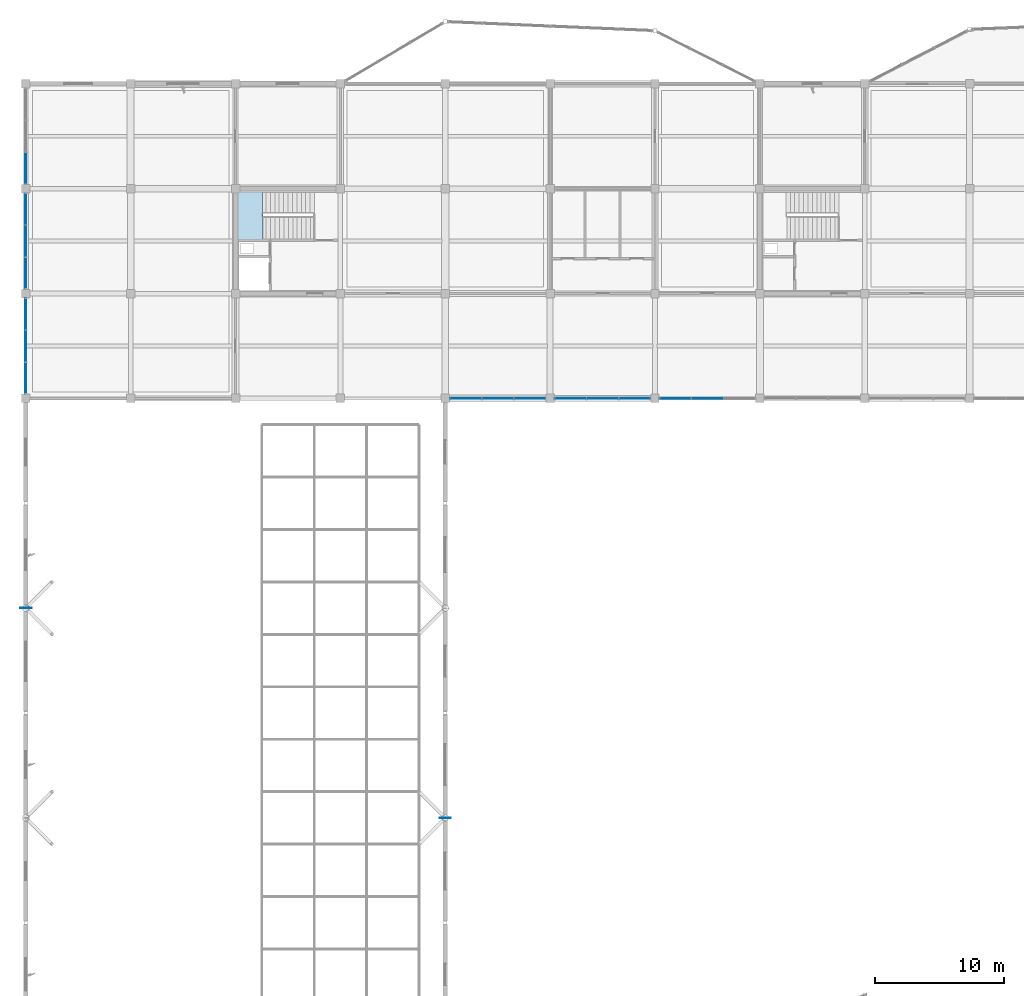
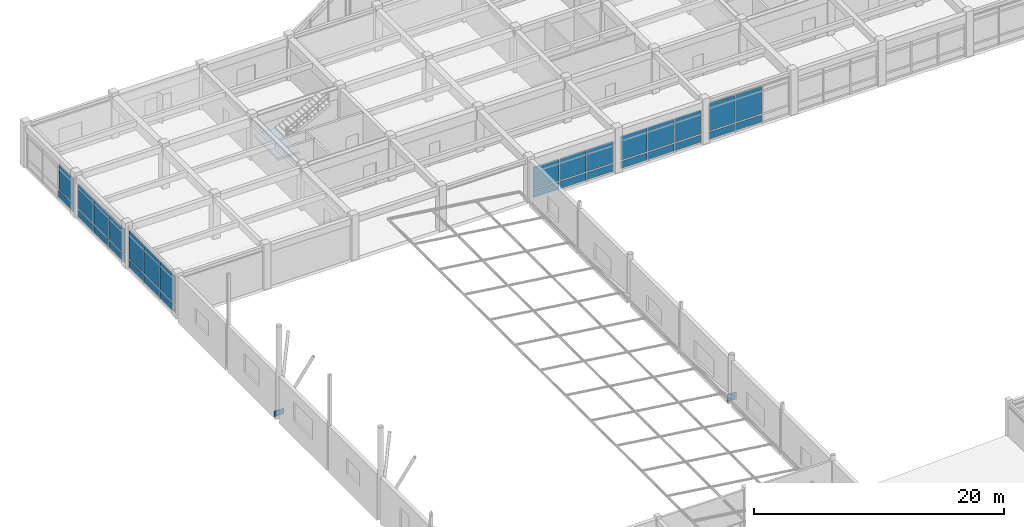
# One storey, part 53 of 89: 32 plates, 1 slab, 7 elements without a shape of their own.
"""IFC4 building model written with IfcOpenShell, lengths in metres."""

from ifc_helpers import new_model, si_unit, direction, frame, origin, origin_2d, place, context, subcontext, project, spatial, polyline, rectangle, outline, extrude, material, layer, layer_set, type_object, element, aggregate, save


model = new_model("IFC4")

# Units and contexts
model_context = context("Model", 3, precision=1e-05, world=origin(), true_north=direction((0.0, 1.0)))
body_context = subcontext(model_context, "Body", "Model", "MODEL_VIEW")
ifc_project = project(units=[si_unit("LENGTHUNIT", "METRE"), si_unit("AREAUNIT", "SQUARE_METRE"), si_unit("VOLUMEUNIT", "CUBIC_METRE"), si_unit("PLANEANGLEUNIT", "RADIAN"), si_unit("MASSUNIT", "GRAM", prefix="KILO")], contexts=[model_context])

# Site, building, storey
site_placement = place(None, origin())
site = spatial("IfcSite", under=ifc_project, at=site_placement, CompositionType="ELEMENT")
building_placement = place(site_placement, origin())
building = spatial("IfcBuilding", under=site, at=building_placement, Name="Vaudrelin Polytechnic", CompositionType="ELEMENT")
storey_placement = place(building_placement, frame((0.0, 0.0, 9.68994140625)))
storey = spatial("IfcBuildingStorey", under=building, at=storey_placement, Name="L02", CompositionType="ELEMENT", Elevation=9.68994140625)

# Curtain wall, plates
ifc_material_1 = material(Name="Thermally broken anodised aluminium AA 6063-T6 and low-e triple glazing", Category="aluminium")
ifc_layer_1 = layer(ifc_material_1, 0.199951171875)
ifc_layer_set_1 = layer_set([ifc_layer_1], Name="Thermally broken anodised aluminium AA 6063-T6 and low-e triple glazing")
curtain_wall_type = type_object("IfcCurtainWallType", Name="CW-CW-LIB", PredefinedType="USERDEFINED", material=ifc_layer_set_1)
curtain_wall_1_placement = place(storey_placement, origin())
curtain_wall_1 = element("IfcCurtainWall", 1, at=curtain_wall_1_placement, inside=storey, type_object=curtain_wall_type, Name="Curtain wall L02 W_V5_00", ObjectType="CURTAIN WALL", PredefinedType="USERDEFINED")
ifc_material_2 = material(Name="Insulated ceramic-frit spandrel glass panel", Category="glass")
ifc_layer_2 = layer(ifc_material_2, 0.052001953125)
ifc_layer_set_2 = layer_set([ifc_layer_2], Name="Insulated ceramic-frit spandrel glass panel")
plate_type_1 = type_object("IfcPlateType", Name="PLT-GLZ-SPAND", PredefinedType="CURTAIN_PANEL", material=ifc_layer_set_2)
plate_1_placement = place(storey_placement, frame((0.0, 98.765380859375, 0.08984375), z_axis=(0.0, 0.0, 1.0), x_axis=(0.0, 1.0, 0.0)))
plate_1 = element("IfcPlate", 2, at=plate_1_placement, type_object=plate_type_1, Name="W_V5_00 spandrel panel 1", PredefinedType="CURTAIN_PANEL", context=body_context, shape_type="SweptSolid", body=[
    extrude(rectangle(XDim=2.384765625, YDim=0.052001953125, at=origin_2d()), origin(), (0.0, 0.0, 1.0), 0.699951171875),
])
plate_2_placement = place(storey_placement, frame((0.0, 101.25, 0.08984375), z_axis=(0.0, 0.0, 1.0), x_axis=(0.0, 1.0, 0.0)))
plate_2 = element("IfcPlate", 3, at=plate_2_placement, type_object=plate_type_1, Name="W_V5_00 spandrel panel 2", PredefinedType="CURTAIN_PANEL", context=body_context, shape_type="SweptSolid", body=[
    extrude(rectangle(XDim=2.384765625, YDim=0.052001953125, at=origin_2d()), origin(), (0.0, 0.0, 1.0), 0.699951171875),
])
plate_3_placement = place(storey_placement, frame((0.0, 103.734619140625, 0.08984375), z_axis=(0.0, 0.0, 1.0), x_axis=(0.0, 1.0, 0.0)))
plate_3 = element("IfcPlate", 4, at=plate_3_placement, type_object=plate_type_1, Name="W_V5_00 spandrel panel 3", PredefinedType="CURTAIN_PANEL", context=body_context, shape_type="SweptSolid", body=[
    extrude(rectangle(XDim=2.384765625, YDim=0.052001953125, at=origin_2d()), origin(), (0.0, 0.0, 1.0), 0.699951171875),
])

curtain_wall_2_placement = place(storey_placement, origin())
curtain_wall_2 = element("IfcCurtainWall", 5, at=curtain_wall_2_placement, inside=storey, type_object=curtain_wall_type, Name="Curtain wall L02 W_V5_01", ObjectType="CURTAIN WALL", PredefinedType="USERDEFINED")
plate_4_placement = place(storey_placement, frame((0.0, 106.865234375, 0.08984375), z_axis=(0.0, 0.0, 1.0), x_axis=(0.0, 1.0, 0.0)))
plate_4 = element("IfcPlate", 6, at=plate_4_placement, type_object=plate_type_1, Name="W_V5_01 spandrel panel 1", PredefinedType="CURTAIN_PANEL", context=body_context, shape_type="SweptSolid", body=[
    extrude(rectangle(XDim=2.384765625, YDim=0.052001953125, at=origin_2d()), origin(), (0.0, 0.0, 1.0), 0.699951171875),
])
plate_5_placement = place(storey_placement, frame((0.0, 109.35009765625, 0.08984375), z_axis=(0.0, 0.0, 1.0), x_axis=(0.0, 1.0, 0.0)))
plate_5 = element("IfcPlate", 7, at=plate_5_placement, type_object=plate_type_1, Name="W_V5_01 spandrel panel 2", PredefinedType="CURTAIN_PANEL", context=body_context, shape_type="SweptSolid", body=[
    extrude(rectangle(XDim=2.384765625, YDim=0.052001953125, at=origin_2d()), origin(), (0.0, 0.0, 1.0), 0.699951171875),
])
plate_6_placement = place(storey_placement, frame((0.0, 111.834716796875, 0.08984375), z_axis=(0.0, 0.0, 1.0), x_axis=(0.0, 1.0, 0.0)))
plate_6 = element("IfcPlate", 8, at=plate_6_placement, type_object=plate_type_1, Name="W_V5_01 spandrel panel 3", PredefinedType="CURTAIN_PANEL", context=body_context, shape_type="SweptSolid", body=[
    extrude(rectangle(XDim=2.384765625, YDim=0.052001953125, at=origin_2d()), origin(), (0.0, 0.0, 1.0), 0.699951171875),
])

# Curtain wall, plate
curtain_wall_3_placement = place(storey_placement, origin())
curtain_wall_3 = element("IfcCurtainWall", 9, at=curtain_wall_3_placement, inside=storey, type_object=curtain_wall_type, Name="Curtain wall L02 W_V5_02", ObjectType="CURTAIN WALL", PredefinedType="USERDEFINED")
plate_7_placement = place(storey_placement, frame((0.0, 114.96533203125, 0.08984375), z_axis=(0.0, 0.0, 1.0), x_axis=(0.0, 1.0, 0.0)))
plate_7 = element("IfcPlate", 10, at=plate_7_placement, type_object=plate_type_1, Name="W_V5_02 spandrel panel 1", PredefinedType="CURTAIN_PANEL", context=body_context, shape_type="SweptSolid", body=[
    extrude(rectangle(XDim=2.384765625, YDim=0.052001953125, at=origin_2d()), origin(), (0.0, 0.0, 1.0), 0.699951171875),
])

# Curtain wall, plates
curtain_wall_4_placement = place(storey_placement, origin())
curtain_wall_4 = element("IfcCurtainWall", 11, at=curtain_wall_4_placement, inside=storey, type_object=curtain_wall_type, Name="Curtain wall L02 CT_N_00", ObjectType="CURTAIN WALL", PredefinedType="USERDEFINED")
plate_8_placement = place(storey_placement, frame((33.96533203125, 97.199951171875, 0.08984375), z_axis=(0.0, 0.0, 1.0), x_axis=(1.0, 0.0, 0.0)))
plate_8 = element("IfcPlate", 12, at=plate_8_placement, type_object=plate_type_1, Name="CT_N_00 spandrel panel 1", PredefinedType="CURTAIN_PANEL", context=body_context, shape_type="SweptSolid", body=[
    extrude(rectangle(XDim=2.384765625, YDim=0.052001953125, at=origin_2d()), origin(), (0.0, 0.0, 1.0), 0.699951171875),
])
plate_9_placement = place(storey_placement, frame((36.449951171875, 97.199951171875, 0.08984375), z_axis=(0.0, 0.0, 1.0), x_axis=(1.0, 0.0, 0.0)))
plate_9 = element("IfcPlate", 13, at=plate_9_placement, type_object=plate_type_1, Name="CT_N_00 spandrel panel 2", PredefinedType="CURTAIN_PANEL", context=body_context, shape_type="SweptSolid", body=[
    extrude(rectangle(XDim=2.384765625, YDim=0.052001953125, at=origin_2d()), origin(), (0.0, 0.0, 1.0), 0.699951171875),
])
plate_10_placement = place(storey_placement, frame((38.934814453125, 97.199951171875, 0.08984375), z_axis=(0.0, 0.0, 1.0), x_axis=(1.0, 0.0, 0.0)))
plate_10 = element("IfcPlate", 14, at=plate_10_placement, type_object=plate_type_1, Name="CT_N_00 spandrel panel 3", PredefinedType="CURTAIN_PANEL", context=body_context, shape_type="SweptSolid", body=[
    extrude(rectangle(XDim=2.384765625, YDim=0.052001953125, at=origin_2d()), origin(), (0.0, 0.0, 1.0), 0.699951171875),
])

curtain_wall_5_placement = place(storey_placement, origin())
curtain_wall_5 = element("IfcCurtainWall", 15, at=curtain_wall_5_placement, inside=storey, type_object=curtain_wall_type, Name="Curtain wall L02 CT_N_01", ObjectType="CURTAIN WALL", PredefinedType="USERDEFINED")
plate_11_placement = place(storey_placement, frame((42.065185546875, 97.199951171875, 0.08984375), z_axis=(0.0, 0.0, 1.0), x_axis=(1.0, 0.0, 0.0)))
plate_11 = element("IfcPlate", 16, at=plate_11_placement, type_object=plate_type_1, Name="CT_N_01 spandrel panel 1", PredefinedType="CURTAIN_PANEL", context=body_context, shape_type="SweptSolid", body=[
    extrude(rectangle(XDim=2.384765625, YDim=0.052001953125, at=origin_2d()), origin(), (0.0, 0.0, 1.0), 0.699951171875),
])
plate_12_placement = place(storey_placement, frame((44.550048828125, 97.199951171875, 0.08984375), z_axis=(0.0, 0.0, 1.0), x_axis=(1.0, 0.0, 0.0)))
plate_12 = element("IfcPlate", 17, at=plate_12_placement, type_object=plate_type_1, Name="CT_N_01 spandrel panel 2", PredefinedType="CURTAIN_PANEL", context=body_context, shape_type="SweptSolid", body=[
    extrude(rectangle(XDim=2.384765625, YDim=0.052001953125, at=origin_2d()), origin(), (0.0, 0.0, 1.0), 0.699951171875),
])
plate_13_placement = place(storey_placement, frame((47.03466796875, 97.199951171875, 0.08984375), z_axis=(0.0, 0.0, 1.0), x_axis=(1.0, 0.0, 0.0)))
plate_13 = element("IfcPlate", 18, at=plate_13_placement, type_object=plate_type_1, Name="CT_N_01 spandrel panel 3", PredefinedType="CURTAIN_PANEL", context=body_context, shape_type="SweptSolid", body=[
    extrude(rectangle(XDim=2.384765625, YDim=0.052001953125, at=origin_2d()), origin(), (0.0, 0.0, 1.0), 0.699951171875),
])

curtain_wall_6_placement = place(storey_placement, origin())
curtain_wall_6 = element("IfcCurtainWall", 19, at=curtain_wall_6_placement, inside=storey, type_object=curtain_wall_type, Name="Curtain wall L02 CT_N_02", ObjectType="CURTAIN WALL", PredefinedType="USERDEFINED")
plate_14_placement = place(storey_placement, frame((50.165283203125, 97.199951171875, 0.08984375), z_axis=(0.0, 0.0, 1.0), x_axis=(1.0, 0.0, 0.0)))
plate_14 = element("IfcPlate", 20, at=plate_14_placement, type_object=plate_type_1, Name="CT_N_02 spandrel panel 1", PredefinedType="CURTAIN_PANEL", context=body_context, shape_type="SweptSolid", body=[
    extrude(rectangle(XDim=2.384765625, YDim=0.052001953125, at=origin_2d()), origin(), (0.0, 0.0, 1.0), 0.699951171875),
])
plate_15_placement = place(storey_placement, frame((52.64990234375, 97.199951171875, 0.08984375), z_axis=(0.0, 0.0, 1.0), x_axis=(1.0, 0.0, 0.0)))
plate_15 = element("IfcPlate", 21, at=plate_15_placement, type_object=plate_type_1, Name="CT_N_02 spandrel panel 2", PredefinedType="CURTAIN_PANEL", context=body_context, shape_type="SweptSolid", body=[
    extrude(rectangle(XDim=2.384765625, YDim=0.052001953125, at=origin_2d()), origin(), (0.0, 0.0, 1.0), 0.699951171875),
])

# Plate
ifc_material_3 = material(Name="Triple low-e argon insulated glazing unit", Category="glass")
ifc_layer_3 = layer(ifc_material_3, 0.0439453125)
ifc_layer_set_3 = layer_set([ifc_layer_3], Name="Triple low-e argon insulated glazing unit")
plate_type_2 = type_object("IfcPlateType", Name="PLT-GLZ-TRIPLE", PredefinedType="CURTAIN_PANEL", material=ifc_layer_set_3)
plate_16_placement = place(storey_placement, frame((0.0, 98.765380859375, 0.89990234375), z_axis=(0.0, 0.0, 1.0), x_axis=(0.0, 1.0, 0.0)))
plate_16 = element("IfcPlate", 22, at=plate_16_placement, type_object=plate_type_2, Name="W_V5_00 vision panel 1", PredefinedType="CURTAIN_PANEL", context=body_context, shape_type="SweptSolid", body=[
    extrude(rectangle(XDim=2.384765625, YDim=0.0439453125, at=origin_2d()), origin(), (0.0, 0.0, 1.0), 2.777099609375),
])

plate_17_placement = place(storey_placement, frame((0.0, 101.25, 0.89990234375), z_axis=(0.0, 0.0, 1.0), x_axis=(0.0, 1.0, 0.0)))
plate_17 = element("IfcPlate", 23, at=plate_17_placement, type_object=plate_type_2, Name="W_V5_00 vision panel 2", PredefinedType="CURTAIN_PANEL", context=body_context, shape_type="SweptSolid", body=[
    extrude(rectangle(XDim=2.384765625, YDim=0.0439453125, at=origin_2d()), origin(), (0.0, 0.0, 1.0), 2.777099609375),
])

plate_18_placement = place(storey_placement, frame((0.0, 103.734619140625, 0.89990234375), z_axis=(0.0, 0.0, 1.0), x_axis=(0.0, 1.0, 0.0)))
plate_18 = element("IfcPlate", 24, at=plate_18_placement, type_object=plate_type_2, Name="W_V5_00 vision panel 3", PredefinedType="CURTAIN_PANEL", context=body_context, shape_type="SweptSolid", body=[
    extrude(rectangle(XDim=2.384765625, YDim=0.0439453125, at=origin_2d()), origin(), (0.0, 0.0, 1.0), 2.777099609375),
])

aggregate(curtain_wall_1, [plate_1, plate_16, plate_2, plate_17, plate_3, plate_18])

plate_19_placement = place(storey_placement, frame((0.0, 106.865234375, 0.89990234375), z_axis=(0.0, 0.0, 1.0), x_axis=(0.0, 1.0, 0.0)))
plate_19 = element("IfcPlate", 25, at=plate_19_placement, type_object=plate_type_2, Name="W_V5_01 vision panel 1", PredefinedType="CURTAIN_PANEL", context=body_context, shape_type="SweptSolid", body=[
    extrude(rectangle(XDim=2.384765625, YDim=0.0439453125, at=origin_2d()), origin(), (0.0, 0.0, 1.0), 2.431884765625),
])

plate_20_placement = place(storey_placement, frame((0.0, 109.35009765625, 0.89990234375), z_axis=(0.0, 0.0, 1.0), x_axis=(0.0, 1.0, 0.0)))
plate_20 = element("IfcPlate", 26, at=plate_20_placement, type_object=plate_type_2, Name="W_V5_01 vision panel 2", PredefinedType="CURTAIN_PANEL", context=body_context, shape_type="SweptSolid", body=[
    extrude(rectangle(XDim=2.384765625, YDim=0.0439453125, at=origin_2d()), origin(), (0.0, 0.0, 1.0), 2.431884765625),
])

plate_21_placement = place(storey_placement, frame((0.0, 111.834716796875, 0.89990234375), z_axis=(0.0, 0.0, 1.0), x_axis=(0.0, 1.0, 0.0)))
plate_21 = element("IfcPlate", 27, at=plate_21_placement, type_object=plate_type_2, Name="W_V5_01 vision panel 3", PredefinedType="CURTAIN_PANEL", context=body_context, shape_type="SweptSolid", body=[
    extrude(rectangle(XDim=2.384765625, YDim=0.0439453125, at=origin_2d()), origin(), (0.0, 0.0, 1.0), 2.431884765625),
])

aggregate(curtain_wall_2, [plate_4, plate_19, plate_5, plate_20, plate_6, plate_21])

plate_22_placement = place(storey_placement, frame((0.0, 114.96533203125, 0.900146484375), z_axis=(0.0, 0.0, 1.0), x_axis=(0.0, 1.0, 0.0)))
plate_22 = element("IfcPlate", 28, at=plate_22_placement, type_object=plate_type_2, Name="W_V5_02 vision panel 1", PredefinedType="CURTAIN_PANEL", context=body_context, shape_type="SweptSolid", body=[
    extrude(rectangle(XDim=2.384765625, YDim=0.0439453125, at=origin_2d()), origin(), (0.0, 0.0, 1.0), 2.48193359375),
])

aggregate(curtain_wall_3, [plate_7, plate_22])

plate_23_placement = place(storey_placement, frame((33.96533203125, 97.199951171875, 0.89990234375), z_axis=(0.0, 0.0, 1.0), x_axis=(1.0, 0.0, 0.0)))
plate_23 = element("IfcPlate", 29, at=plate_23_placement, type_object=plate_type_2, Name="CT_N_00 vision panel 1", PredefinedType="CURTAIN_PANEL", context=body_context, shape_type="SweptSolid", body=[
    extrude(rectangle(XDim=2.384765625, YDim=0.0439453125, at=origin_2d()), origin(), (0.0, 0.0, 1.0), 2.132080078125),
])

plate_24_placement = place(storey_placement, frame((36.449951171875, 97.199951171875, 0.89990234375), z_axis=(0.0, 0.0, 1.0), x_axis=(1.0, 0.0, 0.0)))
plate_24 = element("IfcPlate", 30, at=plate_24_placement, type_object=plate_type_2, Name="CT_N_00 vision panel 2", PredefinedType="CURTAIN_PANEL", context=body_context, shape_type="SweptSolid", body=[
    extrude(rectangle(XDim=2.384765625, YDim=0.0439453125, at=origin_2d()), origin(), (0.0, 0.0, 1.0), 2.132080078125),
])

plate_25_placement = place(storey_placement, frame((38.934814453125, 97.199951171875, 0.89990234375), z_axis=(0.0, 0.0, 1.0), x_axis=(1.0, 0.0, 0.0)))
plate_25 = element("IfcPlate", 31, at=plate_25_placement, type_object=plate_type_2, Name="CT_N_00 vision panel 3", PredefinedType="CURTAIN_PANEL", context=body_context, shape_type="SweptSolid", body=[
    extrude(rectangle(XDim=2.384765625, YDim=0.0439453125, at=origin_2d()), origin(), (0.0, 0.0, 1.0), 2.132080078125),
])

aggregate(curtain_wall_4, [plate_8, plate_23, plate_9, plate_24, plate_10, plate_25])

plate_26_placement = place(storey_placement, frame((42.065185546875, 97.199951171875, 0.900146484375), z_axis=(0.0, 0.0, 1.0), x_axis=(1.0, 0.0, 0.0)))
plate_26 = element("IfcPlate", 32, at=plate_26_placement, type_object=plate_type_2, Name="CT_N_01 vision panel 1", PredefinedType="CURTAIN_PANEL", context=body_context, shape_type="SweptSolid", body=[
    extrude(rectangle(XDim=2.384765625, YDim=0.0439453125, at=origin_2d()), origin(), (0.0, 0.0, 1.0), 2.33203125),
])

plate_27_placement = place(storey_placement, frame((44.550048828125, 97.199951171875, 0.900146484375), z_axis=(0.0, 0.0, 1.0), x_axis=(1.0, 0.0, 0.0)))
plate_27 = element("IfcPlate", 33, at=plate_27_placement, type_object=plate_type_2, Name="CT_N_01 vision panel 2", PredefinedType="CURTAIN_PANEL", context=body_context, shape_type="SweptSolid", body=[
    extrude(rectangle(XDim=2.384765625, YDim=0.0439453125, at=origin_2d()), origin(), (0.0, 0.0, 1.0), 2.33203125),
])

plate_28_placement = place(storey_placement, frame((47.03466796875, 97.199951171875, 0.900146484375), z_axis=(0.0, 0.0, 1.0), x_axis=(1.0, 0.0, 0.0)))
plate_28 = element("IfcPlate", 34, at=plate_28_placement, type_object=plate_type_2, Name="CT_N_01 vision panel 3", PredefinedType="CURTAIN_PANEL", context=body_context, shape_type="SweptSolid", body=[
    extrude(rectangle(XDim=2.384765625, YDim=0.0439453125, at=origin_2d()), origin(), (0.0, 0.0, 1.0), 2.33203125),
])

aggregate(curtain_wall_5, [plate_11, plate_26, plate_12, plate_27, plate_13, plate_28])

plate_29_placement = place(storey_placement, frame((50.165283203125, 97.199951171875, 0.900146484375), z_axis=(0.0, 0.0, 1.0), x_axis=(1.0, 0.0, 0.0)))
plate_29 = element("IfcPlate", 35, at=plate_29_placement, type_object=plate_type_2, Name="CT_N_02 vision panel 1", PredefinedType="CURTAIN_PANEL", context=body_context, shape_type="SweptSolid", body=[
    extrude(rectangle(XDim=2.384765625, YDim=0.0439453125, at=origin_2d()), origin(), (0.0, 0.0, 1.0), 2.6669921875),
])

plate_30_placement = place(storey_placement, frame((52.64990234375, 97.199951171875, 0.900146484375), z_axis=(0.0, 0.0, 1.0), x_axis=(1.0, 0.0, 0.0)))
plate_30 = element("IfcPlate", 36, at=plate_30_placement, type_object=plate_type_2, Name="CT_N_02 vision panel 2", PredefinedType="CURTAIN_PANEL", context=body_context, shape_type="SweptSolid", body=[
    extrude(rectangle(XDim=2.384765625, YDim=0.0439453125, at=origin_2d()), origin(), (0.0, 0.0, 1.0), 2.6669921875),
])

aggregate(curtain_wall_6, [plate_14, plate_29, plate_15, plate_30])

# Plates
ifc_material_4 = material(Name="Steel CSA G40.21 350WT", Category="steel")
ifc_layer_4 = layer(ifc_material_4, 0.031982421875)
ifc_layer_set_4 = layer_set([ifc_layer_4], Name="Steel CSA G40.21 350WT")
plate_type_3 = type_object("IfcPlateType", Name="PLT-GP-04", PredefinedType="USERDEFINED", material=ifc_layer_set_4)
plate_31_placement = place(storey_placement, frame((0.0, 81.0, 0.1748046875), z_axis=(0.0, 0.0, 1.0), x_axis=(1.0, 0.0, 0.0)))
element("IfcPlate", 37, at=plate_31_placement, inside=storey, type_object=plate_type_3, Name="Space frame tree capital gusset plate GP-03", ObjectType="GUSSET PLATE", PredefinedType="USERDEFINED", context=body_context, shape_type="SweptSolid", body=[
    extrude(rectangle(XDim=0.89990234375, YDim=0.031982421875, at=origin_2d()), origin(), (0.0, 0.0, 1.0), 0.550048828125),
])
ifc_layer_5 = layer(ifc_material_4, 0.030029296875)
ifc_layer_set_5 = layer_set([ifc_layer_5], Name="Steel CSA G40.21 350WT")
plate_type_4 = type_object("IfcPlateType", Name="PLT-GP-06", PredefinedType="USERDEFINED", material=ifc_layer_set_5)
plate_32_placement = place(storey_placement, frame((32.39990234375, 64.800048828125, 0.10009765625), z_axis=(0.0, 0.0, 1.0), x_axis=(1.0, 0.0, 0.0)))
element("IfcPlate", 38, at=plate_32_placement, inside=storey, type_object=plate_type_4, Name="Space frame tree capital gusset plate GP-05", ObjectType="GUSSET PLATE", PredefinedType="USERDEFINED", context=body_context, shape_type="SweptSolid", body=[
    extrude(rectangle(XDim=0.85009765625, YDim=0.030029296875, at=origin_2d()), origin(), (0.0, 0.0, 1.0), 0.699951171875),
])

# Stair, slab
ifc_material_5 = material(Name="Concrete 35 MPa", Category="concrete")
stair_type = type_object("IfcStairType", Name="STR-ST-CORE", PredefinedType="TWO_STRAIGHT_RUN_STAIR", material=ifc_material_5)
stair_placement = place(storey_placement, origin())
stair = element("IfcStair", 39, at=stair_placement, inside=storey, type_object=stair_type, Name="Exit stair ST-01-L02", PredefinedType="TWO_STRAIGHT_RUN_STAIR")
ifc_layer_6 = layer(ifc_material_5, 0.219970703125)
ifc_layer_set_6 = layer_set([ifc_layer_6], Name="Concrete 35 MPa")
slab_type = type_object("IfcSlabType", Name="SLB-LND220", PredefinedType="LANDING", material=ifc_layer_set_6)
slab_placement = place(storey_placement, frame((0.0, 0.0, 1.989990234375)))
slab = element("IfcSlab", 40, at=slab_placement, type_object=slab_type, Name="ST-01-L02 landing 1", PredefinedType="LANDING", context=body_context, shape_type="SweptSolid", body=[
    extrude(outline(polyline([(16.340087890625, 109.4599609375), (18.31005859375, 109.4599609375), (18.31005859375, 113.300048828125), (16.340087890625, 113.300048828125), (16.340087890625, 109.4599609375)])), origin(), (0.0, 0.0, 1.0), 0.219970703125),
])
aggregate(stair, [slab])

save(model, "model.ifc")
